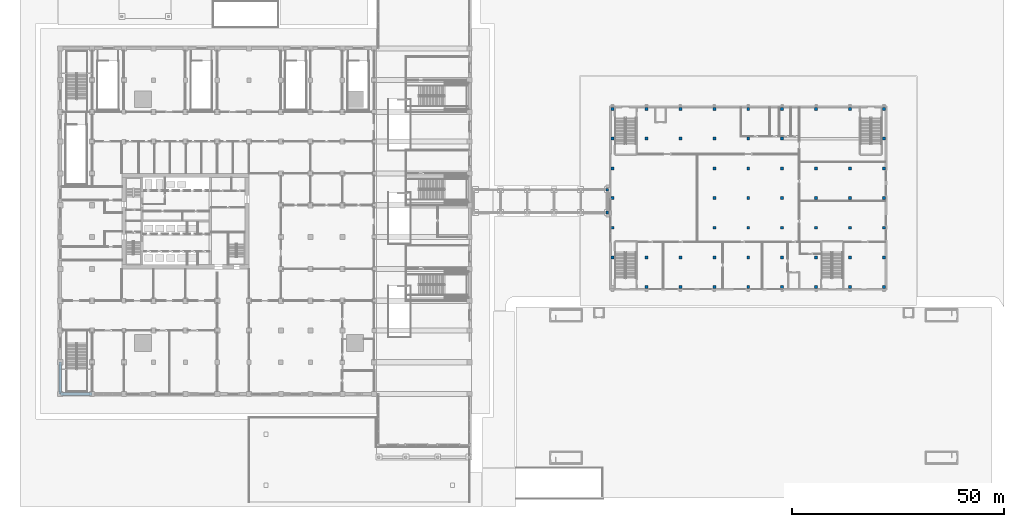
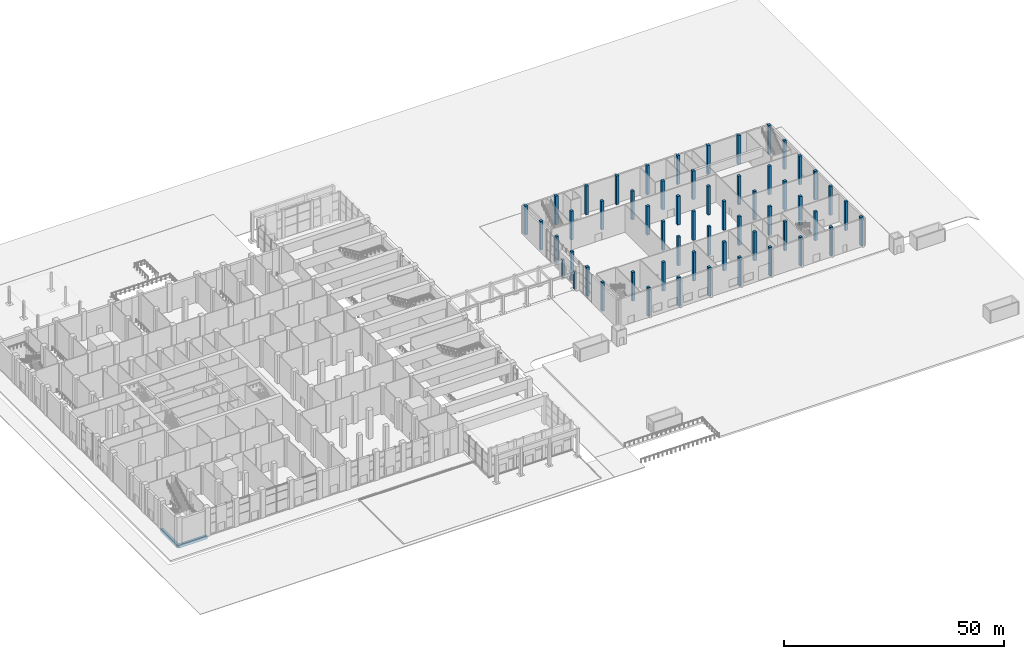
# One storey, part 3 of 57: 56 columns, 2 beams.
"""IFC4 building model written with IfcOpenShell, lengths in metres."""

from ifc_helpers import new_model, si_unit, direction, frame, origin, origin_2d, place, context, subcontext, project, spatial, rectangle, extrude, material, material_profile, profile_set, type_object, element, save


model = new_model("IFC4")

# Units and contexts
model_context = context("Model", 3, precision=1e-05, world=origin(), true_north=direction((0.0, 1.0)))
body_context = subcontext(model_context, "Body", "Model", "MODEL_VIEW")
ifc_project = project(units=[si_unit("LENGTHUNIT", "METRE"), si_unit("AREAUNIT", "SQUARE_METRE"), si_unit("VOLUMEUNIT", "CUBIC_METRE"), si_unit("PLANEANGLEUNIT", "RADIAN"), si_unit("MASSUNIT", "GRAM", prefix="KILO")], contexts=[model_context])

# Site, building, storey
site_placement = place(None, origin())
site = spatial("IfcSite", under=ifc_project, at=site_placement, CompositionType="ELEMENT")
building_placement = place(site_placement, origin())
building = spatial("IfcBuilding", under=site, at=building_placement, Name="Tamorin Gate", CompositionType="ELEMENT")
storey_placement = place(building_placement, origin())
storey = spatial("IfcBuildingStorey", under=building, at=storey_placement, Name="L00", CompositionType="ELEMENT", Elevation=0.0)

# Columns
ifc_material_1 = material(Name="Concrete C40/50", Category="concrete")
ifc_material_profile_1 = material_profile(ifc_material_1, rectangle(XDim=0.60009765625, YDim=0.60009765625, at=origin_2d()))
ifc_profile_set_1 = profile_set([ifc_material_profile_1], Name="Concrete C40/50")
column_type_1 = type_object("IfcColumnType", Name="RC column 600x600 C40/50", PredefinedType="COLUMN", material=ifc_profile_set_1)
for number, where, z_axis, x_axis, name in (
    (1, (144.5, 73.300048828125, 0.0), (0.0, 0.0, 1.0), (1.0, 0.0, 0.0), "Arcade pier"),
    (2, (144.5, 78.699951171875, 0.0), (0.0, 0.0, 1.0), (1.0, 0.0, 0.0), "Arcade pier"),
):
    element("IfcColumn", number, at=place(storey_placement, frame(where, z_axis=z_axis, x_axis=x_axis)), inside=storey, type_object=column_type_1, Name=name, PredefinedType="COLUMN", context=body_context, shape_type="SweptSolid", body=[
        extrude(rectangle(XDim=0.60009765625, YDim=0.60009765625, at=origin_2d()), origin(), (0.0, 0.0, 1.0), 5.0),
    ])
ifc_material_2 = material(Name="Concrete C50/60", Category="concrete")
ifc_material_profile_2 = material_profile(ifc_material_2, rectangle(XDim=0.699951171875, YDim=0.699951171875, at=origin_2d()), Name="RC 700x700")
ifc_profile_set_2 = profile_set([ifc_material_profile_2], Name="Concrete C50/60")
column_type_2 = type_object("IfcColumnType", Name="RC column 700x700 C50/60", PredefinedType="COLUMN", material=ifc_profile_set_2)
for number, where, z_axis, x_axis, name in (
    (3, (145.699951171875, 62.699951171875, 0.0), (0.0, 0.0, 1.0), (1.0, 0.0, 0.0), "Museum column L00"),
    (4, (145.699951171875, 69.699951171875, 0.0), (0.0, 0.0, 1.0), (1.0, 0.0, 0.0), "Museum column L00"),
    (5, (145.699951171875, 76.699951171875, 0.0), (0.0, 0.0, 1.0), (1.0, 0.0, 0.0), "Museum column L00"),
    (6, (145.699951171875, 83.699951171875, 0.0), (0.0, 0.0, 1.0), (1.0, 0.0, 0.0), "Museum column L00"),
    (7, (145.699951171875, 90.699951171875, 0.0), (0.0, 0.0, 1.0), (1.0, 0.0, 0.0), "Museum column L00"),
    (8, (145.699951171875, 97.699951171875, 0.0), (0.0, 0.0, 1.0), (1.0, 0.0, 0.0), "Museum column L00"),
    (9, (153.699951171875, 55.699951171875, 0.0), (0.0, 0.0, 1.0), (1.0, 0.0, 0.0), "Museum column L00"),
    (10, (153.699951171875, 62.699951171875, 0.0), (0.0, 0.0, 1.0), (1.0, 0.0, 0.0), "Museum column L00"),
    (11, (153.699951171875, 90.699951171875, 0.0), (0.0, 0.0, 1.0), (1.0, 0.0, 0.0), "Museum column L00"),
    (12, (153.699951171875, 97.699951171875, 0.0), (0.0, 0.0, 1.0), (1.0, 0.0, 0.0), "Museum column L00"),
    (13, (161.699951171875, 55.699951171875, 0.0), (0.0, 0.0, 1.0), (1.0, 0.0, 0.0), "Museum column L00"),
    (14, (161.699951171875, 62.699951171875, 0.0), (0.0, 0.0, 1.0), (1.0, 0.0, 0.0), "Museum column L00"),
    (15, (161.699951171875, 90.699951171875, 0.0), (0.0, 0.0, 1.0), (1.0, 0.0, 0.0), "Museum column L00"),
    (16, (161.699951171875, 97.699951171875, 0.0), (0.0, 0.0, 1.0), (1.0, 0.0, 0.0), "Museum column L00"),
    (17, (169.699951171875, 55.699951171875, 0.0), (0.0, 0.0, 1.0), (1.0, 0.0, 0.0), "Museum column L00"),
    (18, (169.699951171875, 62.699951171875, 0.0), (0.0, 0.0, 1.0), (1.0, 0.0, 0.0), "Museum column L00"),
    (19, (169.699951171875, 69.699951171875, 0.0), (0.0, 0.0, 1.0), (1.0, 0.0, 0.0), "Museum column L00"),
    (20, (169.699951171875, 76.699951171875, 0.0), (0.0, 0.0, 1.0), (1.0, 0.0, 0.0), "Museum column L00"),
    (21, (169.699951171875, 83.699951171875, 0.0), (0.0, 0.0, 1.0), (1.0, 0.0, 0.0), "Museum column L00"),
    (22, (169.699951171875, 90.699951171875, 0.0), (0.0, 0.0, 1.0), (1.0, 0.0, 0.0), "Museum column L00"),
    (23, (169.699951171875, 97.699951171875, 0.0), (0.0, 0.0, 1.0), (1.0, 0.0, 0.0), "Museum column L00"),
    (24, (177.699951171875, 55.699951171875, 0.0), (0.0, 0.0, 1.0), (1.0, 0.0, 0.0), "Museum column L00"),
    (25, (177.699951171875, 62.699951171875, 0.0), (0.0, 0.0, 1.0), (1.0, 0.0, 0.0), "Museum column L00"),
    (26, (177.699951171875, 69.699951171875, 0.0), (0.0, 0.0, 1.0), (1.0, 0.0, 0.0), "Museum column L00"),
    (27, (177.699951171875, 76.699951171875, 0.0), (0.0, 0.0, 1.0), (1.0, 0.0, 0.0), "Museum column L00"),
    (28, (177.699951171875, 83.699951171875, 0.0), (0.0, 0.0, 1.0), (1.0, 0.0, 0.0), "Museum column L00"),
    (29, (177.699951171875, 90.699951171875, 0.0), (0.0, 0.0, 1.0), (1.0, 0.0, 0.0), "Museum column L00"),
    (30, (177.699951171875, 97.699951171875, 0.0), (0.0, 0.0, 1.0), (1.0, 0.0, 0.0), "Museum column L00"),
    (31, (185.699951171875, 55.699951171875, 0.0), (0.0, 0.0, 1.0), (1.0, 0.0, 0.0), "Museum column L00"),
    (32, (185.699951171875, 62.699951171875, 0.0), (0.0, 0.0, 1.0), (1.0, 0.0, 0.0), "Museum column L00"),
    (33, (185.699951171875, 69.699951171875, 0.0), (0.0, 0.0, 1.0), (1.0, 0.0, 0.0), "Museum column L00"),
    (34, (185.699951171875, 76.699951171875, 0.0), (0.0, 0.0, 1.0), (1.0, 0.0, 0.0), "Museum column L00"),
    (35, (185.699951171875, 83.699951171875, 0.0), (0.0, 0.0, 1.0), (1.0, 0.0, 0.0), "Museum column L00"),
    (36, (185.699951171875, 90.699951171875, 0.0), (0.0, 0.0, 1.0), (1.0, 0.0, 0.0), "Museum column L00"),
    (37, (185.699951171875, 97.699951171875, 0.0), (0.0, 0.0, 1.0), (1.0, 0.0, 0.0), "Museum column L00"),
    (38, (193.699951171875, 55.699951171875, 0.0), (0.0, 0.0, 1.0), (1.0, 0.0, 0.0), "Museum column L00"),
    (39, (193.699951171875, 62.699951171875, 0.0), (0.0, 0.0, 1.0), (1.0, 0.0, 0.0), "Museum column L00"),
    (40, (193.699951171875, 69.699951171875, 0.0), (0.0, 0.0, 1.0), (1.0, 0.0, 0.0), "Museum column L00"),
    (41, (193.699951171875, 76.699951171875, 0.0), (0.0, 0.0, 1.0), (1.0, 0.0, 0.0), "Museum column L00"),
    (42, (193.699951171875, 83.699951171875, 0.0), (0.0, 0.0, 1.0), (1.0, 0.0, 0.0), "Museum column L00"),
    (43, (193.699951171875, 97.699951171875, 0.0), (0.0, 0.0, 1.0), (1.0, 0.0, 0.0), "Museum column L00"),
    (44, (201.699951171875, 55.699951171875, 0.0), (0.0, 0.0, 1.0), (1.0, 0.0, 0.0), "Museum column L00"),
    (45, (201.699951171875, 62.699951171875, 0.0), (0.0, 0.0, 1.0), (1.0, 0.0, 0.0), "Museum column L00"),
    (46, (201.699951171875, 69.699951171875, 0.0), (0.0, 0.0, 1.0), (1.0, 0.0, 0.0), "Museum column L00"),
    (47, (201.699951171875, 76.699951171875, 0.0), (0.0, 0.0, 1.0), (1.0, 0.0, 0.0), "Museum column L00"),
    (48, (201.699951171875, 83.699951171875, 0.0), (0.0, 0.0, 1.0), (1.0, 0.0, 0.0), "Museum column L00"),
    (49, (201.699951171875, 97.699951171875, 0.0), (0.0, 0.0, 1.0), (1.0, 0.0, 0.0), "Museum column L00"),
    (50, (209.699951171875, 55.699951171875, 0.0), (0.0, 0.0, 1.0), (1.0, 0.0, 0.0), "Museum column L00"),
    (51, (209.699951171875, 62.699951171875, 0.0), (0.0, 0.0, 1.0), (1.0, 0.0, 0.0), "Museum column L00"),
    (52, (209.699951171875, 69.699951171875, 0.0), (0.0, 0.0, 1.0), (1.0, 0.0, 0.0), "Museum column L00"),
    (53, (209.699951171875, 76.699951171875, 0.0), (0.0, 0.0, 1.0), (1.0, 0.0, 0.0), "Museum column L00"),
    (54, (209.699951171875, 83.699951171875, 0.0), (0.0, 0.0, 1.0), (1.0, 0.0, 0.0), "Museum column L00"),
    (55, (209.699951171875, 90.699951171875, 0.0), (0.0, 0.0, 1.0), (1.0, 0.0, 0.0), "Museum column L00"),
    (56, (209.699951171875, 97.699951171875, 0.0), (0.0, 0.0, 1.0), (1.0, 0.0, 0.0), "Museum column L00"),
):
    element("IfcColumn", number, at=place(storey_placement, frame(where, z_axis=z_axis, x_axis=x_axis)), inside=storey, type_object=column_type_2, Name=name, PredefinedType="COLUMN", context=body_context, shape_type="SweptSolid", body=[
        extrude(rectangle(XDim=0.699951171875, YDim=0.699951171875, at=origin_2d()), origin(), (0.0, 0.0, 1.0), 8.0),
    ])

# Beams
ifc_material_profile_3 = material_profile(ifc_material_2, rectangle(XDim=0.60009765625, YDim=0.89990234375, at=origin_2d()), Name="RC 600x900")
ifc_profile_set_3 = profile_set([ifc_material_profile_3], Name="Concrete C50/60")
beam_type = type_object("IfcBeamType", Name="RC spandrel 600x900 C50/60", PredefinedType="BEAM", material=ifc_profile_set_3)
for number, where, z_axis, x_axis, name in (
    (57, (15.5, 30.5, -0.449951171875), (1.0, 0.0, 0.0), (0.0, 1.0, 0.0), "Spandrel beam L00"),
    (58, (15.5, 38.0, -0.449951171875), (0.0, -1.0, 0.0), (1.0, 0.0, 0.0), "Spandrel beam L00"),
):
    element("IfcBeam", number, at=place(storey_placement, frame(where, z_axis=z_axis, x_axis=x_axis)), inside=storey, type_object=beam_type, Name=name, PredefinedType="BEAM", context=body_context, shape_type="SweptSolid", body=[
        extrude(rectangle(XDim=0.60009765625, YDim=0.89990234375, at=origin_2d()), origin(), (0.0, 0.0, 1.0), 7.5),
    ])

save(model, "model.ifc")
